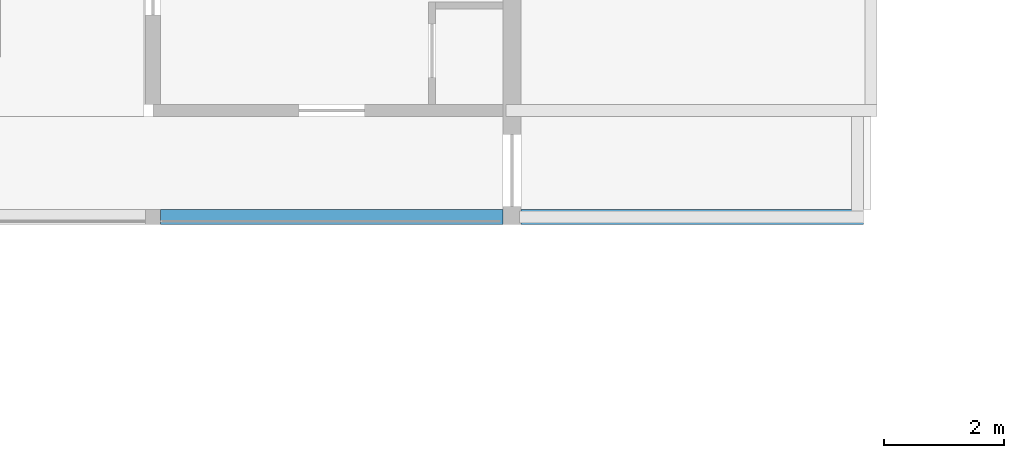
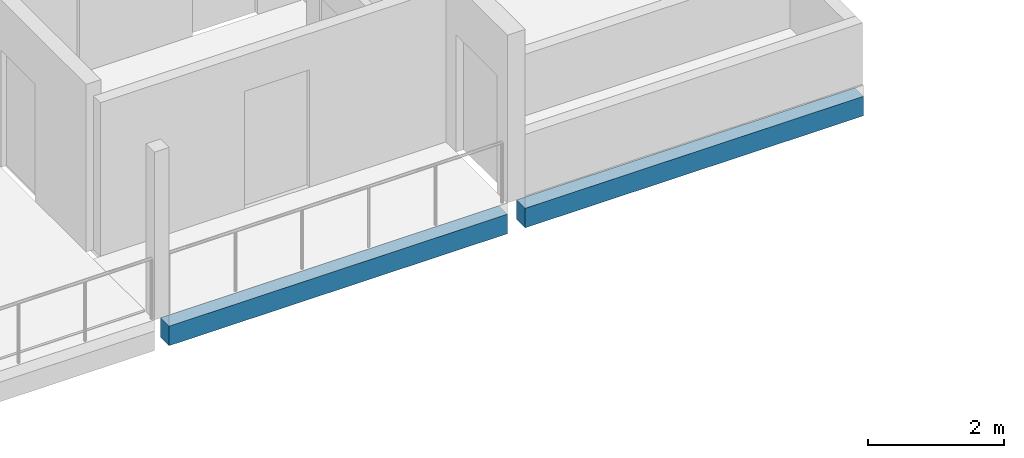
# One storey, part 11 of 78: 2 beams.
"""IFC4 building model written with IfcOpenShell, lengths in metres."""

from ifc_helpers import new_model, si_unit, direction, frame, origin, origin_2d, place, context, subcontext, project, spatial, rectangle, extrude, material, material_profile, profile_set, type_object, element, save


model = new_model("IFC4")

# Units and contexts
model_context = context("Model", 3, precision=1e-05, world=origin(), true_north=direction((0.0, 1.0)))
body_context = subcontext(model_context, "Body", "Model", "MODEL_VIEW")
ifc_project = project(units=[si_unit("LENGTHUNIT", "METRE"), si_unit("AREAUNIT", "SQUARE_METRE"), si_unit("VOLUMEUNIT", "CUBIC_METRE"), si_unit("PLANEANGLEUNIT", "RADIAN"), si_unit("MASSUNIT", "GRAM", prefix="KILO")], contexts=[model_context])

# Site, building, storey
site_placement = place(None, origin())
site = spatial("IfcSite", under=ifc_project, at=site_placement, CompositionType="ELEMENT")
building_placement = place(site_placement, origin())
building = spatial("IfcBuilding", under=site, at=building_placement, Name="Ridgestep Commons", CompositionType="ELEMENT")
storey_placement = place(building_placement, frame((0.0, 0.0, 30.0)))
storey = spatial("IfcBuildingStorey", under=building, at=storey_placement, Name="L10", CompositionType="ELEMENT", Elevation=30.0)

# Beams
ifc_material = material(Name="Precast concrete C40/50", Category="concrete")
ifc_material_profile = material_profile(ifc_material, rectangle(XDim=0.25, YDim=0.35009765625, at=origin_2d()), Name="PC 250x350")
ifc_profile_set = profile_set([ifc_material_profile], Name="Precast concrete C40/50")
beam_type = type_object("IfcBeamType", Name="Loggia edge beam 250 x 350", PredefinedType="SPANDREL", material=ifc_profile_set)
beam_1_placement = place(storey_placement, frame((73.324951171875, 66.125, -0.375), z_axis=(1.0, 0.0, 0.0), x_axis=(0.0, 1.0, 0.0)))
element("IfcBeam", 1, at=beam_1_placement, inside=storey, type_object=beam_type, Name="Loggia edge beam B4C L10", PredefinedType="SPANDREL", context=body_context, shape_type="SweptSolid", body=[
    extrude(rectangle(XDim=0.25, YDim=0.35009765625, at=origin_2d()), origin(), (0.0, 0.0, 1.0), 5.72509765625),
])
beam_2_placement = place(storey_placement, frame((79.35009765625, 66.125, -0.375), z_axis=(1.0, 0.0, 0.0), x_axis=(0.0, 1.0, 0.0)))
element("IfcBeam", 2, at=beam_2_placement, inside=storey, type_object=beam_type, Name="Loggia edge beam B5C L10", PredefinedType="SPANDREL", context=body_context, shape_type="SweptSolid", body=[
    extrude(rectangle(XDim=0.25, YDim=0.35009765625, at=origin_2d()), origin(), (0.0, 0.0, 1.0), 5.724853515625),
])

save(model, "model.ifc")
